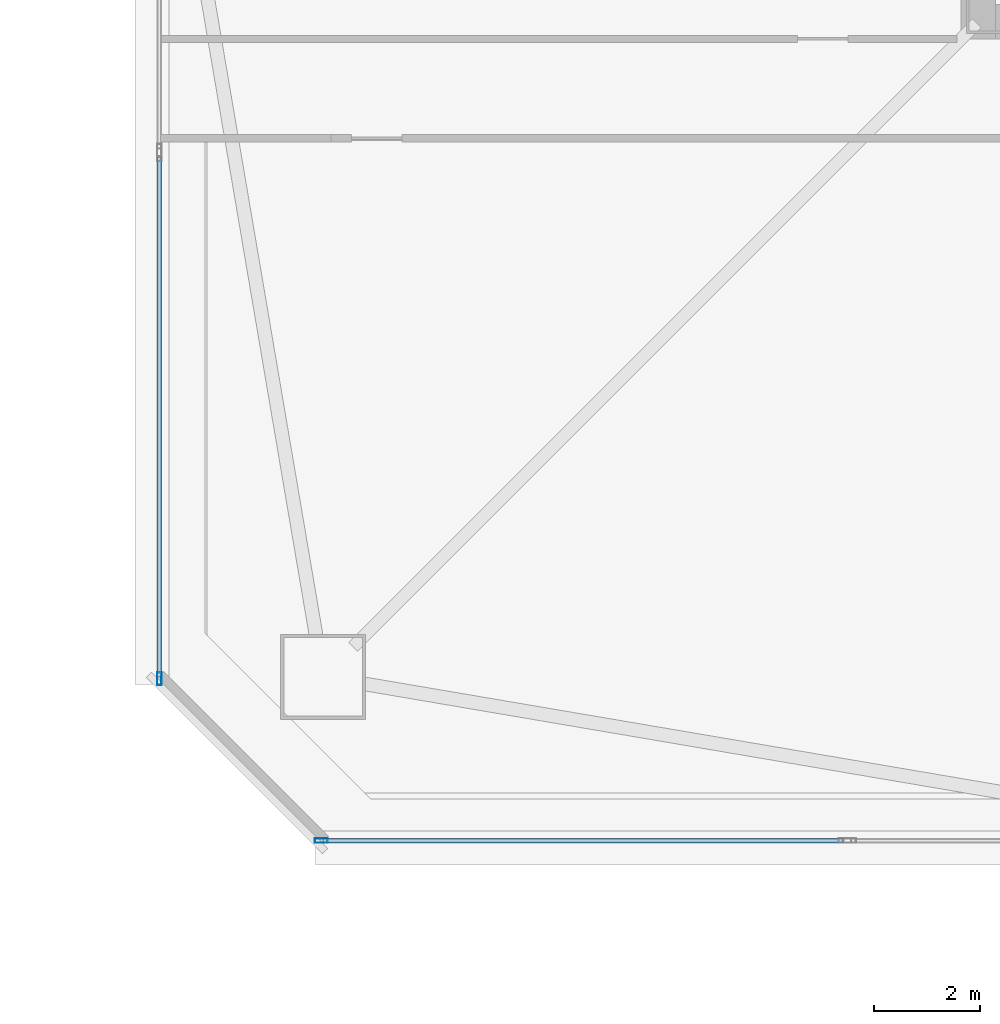
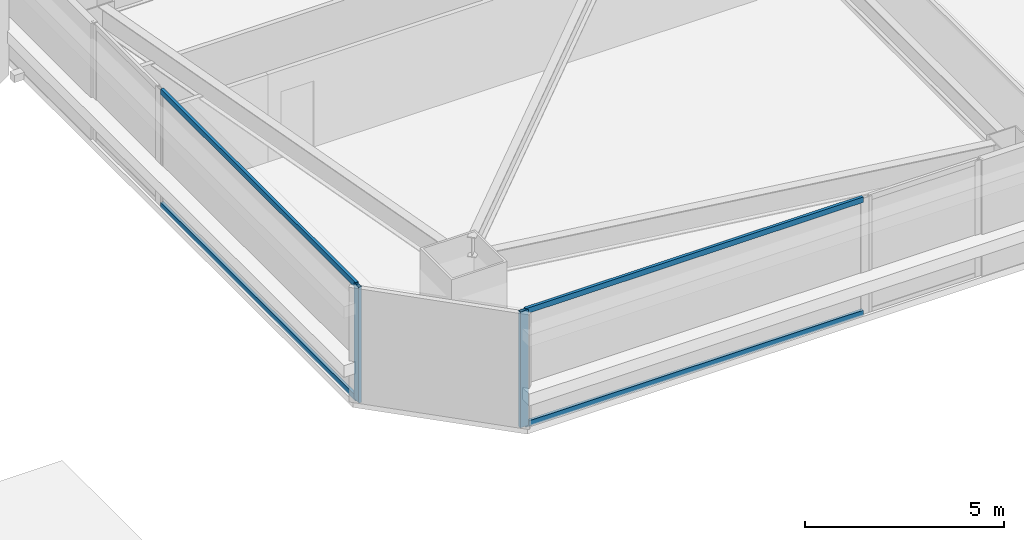
# One storey, part 3 of 62: 6 members, 2 elements without a shape of their own.
"""IFC4 building model written with IfcOpenShell, lengths in metres."""

from ifc_helpers import new_model, si_unit, direction, frame, origin, origin_2d, place, context, subcontext, project, spatial, hollow_rectangle, extrude, material, material_profile, profile_set, type_object, element, aggregate, save


model = new_model("IFC4")

# Units and contexts
model_context = context("Model", 3, precision=1e-05, world=origin(), true_north=direction((0.0, 1.0)))
body_context = subcontext(model_context, "Body", "Model", "MODEL_VIEW")
ifc_project = project(units=[si_unit("LENGTHUNIT", "METRE"), si_unit("AREAUNIT", "SQUARE_METRE"), si_unit("VOLUMEUNIT", "CUBIC_METRE"), si_unit("PLANEANGLEUNIT", "RADIAN"), si_unit("MASSUNIT", "GRAM", prefix="KILO")], contexts=[model_context])

# Site, building, storey
site_placement = place(None, origin())
site = spatial("IfcSite", under=ifc_project, at=site_placement, CompositionType="ELEMENT")
building_placement = place(site_placement, origin())
building = spatial("IfcBuilding", under=site, at=building_placement, Name="Tashvorn Skyway Center", CompositionType="ELEMENT")
storey_placement = place(building_placement, frame((0.0, 0.0, 28.14990234375)))
storey = spatial("IfcBuildingStorey", under=building, at=storey_placement, Name="L06", CompositionType="ELEMENT", Elevation=28.14990234375)

# Curtain wall, member
ifc_material = material(Name="Thermally broken bronze-anodized aluminium 6063-T6", Category="aluminium")
curtain_wall_type = type_object("IfcCurtainWallType", Name="CW-CW-Z1", PredefinedType="NOTDEFINED", material=ifc_material)
curtain_wall_1_placement = place(storey_placement, origin())
curtain_wall_1 = element("IfcCurtainWall", 1, at=curtain_wall_1_placement, inside=storey, type_object=curtain_wall_type, Name="Tower 1 L06 South Unitised Curtain Wall Glazing Group 4", PredefinedType="NOTDEFINED")
ifc_material_profile_1 = material_profile(ifc_material, hollow_rectangle(XDim=0.0849609375, YDim=0.239990234375, WallThickness=0.0048828125, at=origin_2d()), Name="ALU-MULL-85x240")
ifc_profile_set_1 = profile_set([ifc_material_profile_1], Name="Thermally broken bronze-anodized aluminium 6063-T6")
member_type_1 = type_object("IfcMemberType", Name="CWM-CW-Z1", PredefinedType="MULLION", material=ifc_profile_set_1)
member_1_placement = place(storey_placement, frame((22.16259765625, 9.1201171875, 0.0), z_axis=(0.0, 0.0, 1.0), x_axis=(0.0, -1.0, 0.0)))
member_1 = element("IfcMember", 2, at=member_1_placement, type_object=member_type_1, Name="CW-Z1 mullion 2", PredefinedType="MULLION", context=body_context, shape_type="SweptSolid", body=[
    extrude(hollow_rectangle(XDim=0.0849609375, YDim=0.239990234375, WallThickness=0.0048828125, at=origin_2d()), origin(), (0.0, 0.0, 1.0), 3.550048828125),
])

curtain_wall_2_placement = place(storey_placement, origin())
curtain_wall_2 = element("IfcCurtainWall", 3, at=curtain_wall_2_placement, inside=storey, type_object=curtain_wall_type, Name="Tower 1 L06 West Unitised Curtain Wall Glazing Group 1", PredefinedType="NOTDEFINED")
member_2_placement = place(storey_placement, frame((19.1201171875, 12.16259765625, 0.0), z_axis=(0.0, 0.0, 1.0), x_axis=(-1.0, 0.0, 0.0)))
member_2 = element("IfcMember", 4, at=member_2_placement, type_object=member_type_1, Name="CW-Z1 mullion 1", PredefinedType="MULLION", context=body_context, shape_type="SweptSolid", body=[
    extrude(hollow_rectangle(XDim=0.0849609375, YDim=0.239990234375, WallThickness=0.0048828125, at=origin_2d()), origin(), (0.0, 0.0, 1.0), 3.550048828125),
])

# Member
ifc_material_profile_2 = material_profile(ifc_material, hollow_rectangle(XDim=0.0849609375, YDim=0.1650390625, WallThickness=0.0048828125, at=origin_2d()), Name="ALU-TRAN-85x165")
ifc_profile_set_2 = profile_set([ifc_material_profile_2], Name="Thermally broken bronze-anodized aluminium 6063-T6")
member_type_2 = type_object("IfcMemberType", Name="CWT-CW-Z1", PredefinedType="USERDEFINED", material=ifc_profile_set_2)
member_3_placement = place(storey_placement, frame((31.97509765625, 9.1201171875, 0.04248046875), z_axis=(-1.0, 0.0, 0.0), x_axis=(0.0, -1.0, 0.0)))
member_3 = element("IfcMember", 5, at=member_3_placement, type_object=member_type_2, Name="CW-Z1 transom 1.1", ObjectType="TRANSOM", PredefinedType="USERDEFINED", context=body_context, shape_type="SweptSolid", body=[
    extrude(hollow_rectangle(XDim=0.0849609375, YDim=0.1650390625, WallThickness=0.0048828125, at=origin_2d()), origin(), (0.0, 0.0, 1.0), 9.77001953125),
])

member_4_placement = place(storey_placement, frame((31.97509765625, 9.1201171875, 3.507568359375), z_axis=(-1.0, 0.0, 0.0), x_axis=(0.0, -1.0, 0.0)))
member_4 = element("IfcMember", 6, at=member_4_placement, type_object=member_type_2, Name="CW-Z1 transom 1.2", ObjectType="TRANSOM", PredefinedType="USERDEFINED", context=body_context, shape_type="SweptSolid", body=[
    extrude(hollow_rectangle(XDim=0.0849609375, YDim=0.1650390625, WallThickness=0.0048828125, at=origin_2d()), origin(), (0.0, 0.0, 1.0), 9.77001953125),
])

aggregate(curtain_wall_1, [member_1, member_3, member_4])

member_5_placement = place(storey_placement, frame((19.1201171875, 12.205078125, 0.04248046875), z_axis=(0.0, 1.0, 0.0), x_axis=(-1.0, 0.0, 0.0)))
member_5 = element("IfcMember", 7, at=member_5_placement, type_object=member_type_2, Name="CW-Z1 transom 1.1", ObjectType="TRANSOM", PredefinedType="USERDEFINED", context=body_context, shape_type="SweptSolid", body=[
    extrude(hollow_rectangle(XDim=0.0849609375, YDim=0.1650390625, WallThickness=0.0048828125, at=origin_2d()), origin(), (0.0, 0.0, 1.0), 9.77001953125),
])

member_6_placement = place(storey_placement, frame((19.1201171875, 12.205078125, 3.507568359375), z_axis=(0.0, 1.0, 0.0), x_axis=(-1.0, 0.0, 0.0)))
member_6 = element("IfcMember", 8, at=member_6_placement, type_object=member_type_2, Name="CW-Z1 transom 1.2", ObjectType="TRANSOM", PredefinedType="USERDEFINED", context=body_context, shape_type="SweptSolid", body=[
    extrude(hollow_rectangle(XDim=0.0849609375, YDim=0.1650390625, WallThickness=0.0048828125, at=origin_2d()), origin(), (0.0, 0.0, 1.0), 9.77001953125),
])

aggregate(curtain_wall_2, [member_2, member_5, member_6])

save(model, "model.ifc")
